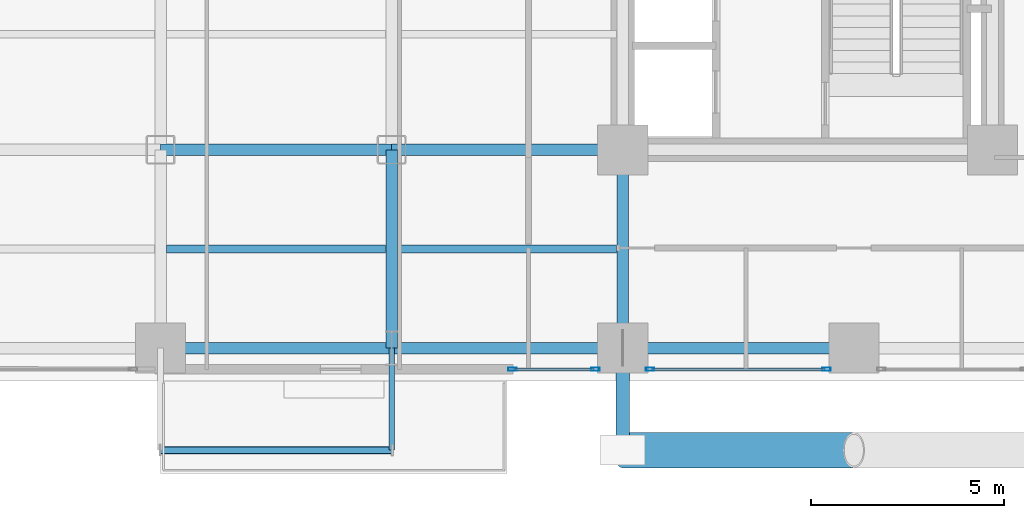
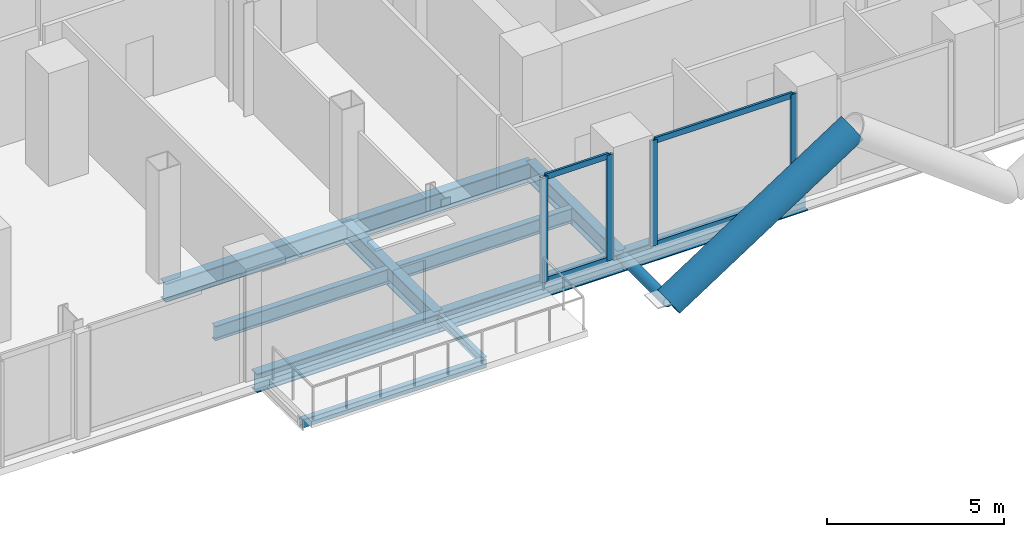
# One storey, part 3 of 25: 11 beams, 10 members, 2 elements without a shape of their own.
"""IFC4 building model written with IfcOpenShell, lengths in metres."""

from ifc_helpers import new_model, si_unit, direction, frame, origin, origin_2d, place, context, subcontext, project, spatial, hollow_rectangle, hollow_circle, i_section, extrude, material, layer, layer_set, material_profile, profile_set, type_object, element, aggregate, save


model = new_model("IFC4")

# Units and contexts
model_context = context("Model", 3, precision=1e-05, world=origin(), true_north=direction((0.0, 1.0)))
body_context = subcontext(model_context, "Body", "Model", "MODEL_VIEW")
ifc_project = project(units=[si_unit("LENGTHUNIT", "METRE"), si_unit("AREAUNIT", "SQUARE_METRE"), si_unit("VOLUMEUNIT", "CUBIC_METRE"), si_unit("PLANEANGLEUNIT", "RADIAN"), si_unit("MASSUNIT", "GRAM", prefix="KILO"), si_unit("THERMODYNAMICTEMPERATUREUNIT", "KELVIN"), si_unit("POWERUNIT", "WATT")], contexts=[model_context])

# Site, building, storey
site_placement = place(None, origin())
site = spatial("IfcSite", under=ifc_project, at=site_placement, CompositionType="ELEMENT")
building_placement = place(site_placement, origin())
building = spatial("IfcBuilding", under=site, at=building_placement, Name="Svarakhadi Broadcast Tower", CompositionType="ELEMENT")
storey_placement = place(building_placement, frame((0.0, 0.0, 36.300048828125)))
storey = spatial("IfcBuildingStorey", under=building, at=storey_placement, Name="L07", CompositionType="ELEMENT", Elevation=36.300048828125)

# Beams
ifc_material_1 = material(Name="Steel S355J2 (IS 2062 E350C)", Category="steel")
ifc_material_profile_1 = material_profile(ifc_material_1, i_section(OverallWidth=0.199951171875, OverallDepth=0.5, WebThickness=0.01025390625, FlangeThickness=0.01611328125, FilletRadius=0.02099609375, at=origin_2d()), Name="NPB 500x200x91")
ifc_profile_set_1 = profile_set([ifc_material_profile_1], Name="Steel S355J2 (IS 2062 E350C)")
beam_type_1 = type_object("IfcBeamType", Name="Beam_NPB500", PredefinedType="BEAM", material=ifc_profile_set_1)
for number, where, z_axis, x_axis, name in (
    (1, (12.159912109375, 3.425048828125, -0.5), (1.0, 0.0, 0.0), (0.0, 1.0, 0.0), "L07 Secondary Composite Beam SB013"),
    (2, (18.159912109375, 3.425048828125, -0.5), (1.0, 0.0, 0.0), (0.0, 1.0, 0.0), "L07 Secondary Composite Beam SB019"),
):
    element("IfcBeam", number, at=place(storey_placement, frame(where, z_axis=z_axis, x_axis=x_axis)), inside=storey, type_object=beam_type_1, Name=name, PredefinedType="BEAM", context=body_context, shape_type="SweptSolid", body=[
        extrude(i_section(OverallWidth=0.199951171875, OverallDepth=0.5, WebThickness=0.01025390625, FlangeThickness=0.01611328125, FilletRadius=0.02099609375, at=origin_2d()), origin(), (0.0, 0.0, 1.0), 5.68017578125),
    ])

# Curtain wall, members
ifc_material_2 = material(Name="Anodised Bronze Aluminium AA 6063-T6", Category="aluminium")
ifc_layer = layer(ifc_material_2, 0.219970703125)
ifc_layer_set = layer_set([ifc_layer], Name="Anodised Bronze Aluminium AA 6063-T6")
curtain_wall_type = type_object("IfcCurtainWallType", Name="CW_Sys_02", PredefinedType="NOTDEFINED", material=ifc_layer_set)
curtain_wall_1_placement = place(storey_placement, origin())
curtain_wall_1 = element("IfcCurtainWall", 3, at=curtain_wall_1_placement, inside=storey, type_object=curtain_wall_type, Name="L07 South Curtain Wall 16 Bay 5", PredefinedType="NOTDEFINED")
ifc_material_profile_2 = material_profile(ifc_material_2, hollow_rectangle(XDim=0.0849609375, YDim=0.219970703125, WallThickness=0.006103515625, at=origin_2d()), Name="ALU MULLION 220x85x6")
ifc_profile_set_2 = profile_set([ifc_material_profile_2], Name="Anodised Bronze Aluminium AA 6063-T6")
member_type_1 = type_object("IfcMemberType", Name="CW_Sys_02_Mul", PredefinedType="MULLION", material=ifc_profile_set_2)
member_1_placement = place(storey_placement, frame((29.28759765625, 0.300048828125, 0.0), z_axis=(0.0, 0.0, 1.0), x_axis=(0.0, -1.0, 0.0)))
member_1 = element("IfcMember", 4, at=member_1_placement, type_object=member_type_1, Name="CW-02 mullion 1", PredefinedType="MULLION", context=body_context, shape_type="SweptSolid", body=[
    extrude(hollow_rectangle(XDim=0.0849609375, YDim=0.219970703125, WallThickness=0.006103515625, at=origin_2d()), origin(), (0.0, 0.0, 1.0), 3.64990234375),
])
member_2_placement = place(storey_placement, frame((24.71240234375, 0.300048828125, 0.0), z_axis=(0.0, 0.0, 1.0), x_axis=(0.0, -1.0, 0.0)))
member_2 = element("IfcMember", 5, at=member_2_placement, type_object=member_type_1, Name="CW-02 mullion 2", PredefinedType="MULLION", context=body_context, shape_type="SweptSolid", body=[
    extrude(hollow_rectangle(XDim=0.0849609375, YDim=0.219970703125, WallThickness=0.006103515625, at=origin_2d()), origin(), (0.0, 0.0, 1.0), 3.64990234375),
])

curtain_wall_2_placement = place(storey_placement, origin())
curtain_wall_2 = element("IfcCurtainWall", 6, at=curtain_wall_2_placement, inside=storey, type_object=curtain_wall_type, Name="L07 South Curtain Wall 16 Bay 6", PredefinedType="NOTDEFINED")
member_3_placement = place(storey_placement, frame((23.28759765625, 0.300048828125, 0.0), z_axis=(0.0, 0.0, 1.0), x_axis=(0.0, -1.0, 0.0)))
member_3 = element("IfcMember", 7, at=member_3_placement, type_object=member_type_1, Name="CW-02 mullion 1", PredefinedType="MULLION", context=body_context, shape_type="SweptSolid", body=[
    extrude(hollow_rectangle(XDim=0.0849609375, YDim=0.219970703125, WallThickness=0.006103515625, at=origin_2d()), origin(), (0.0, 0.0, 1.0), 3.64990234375),
])
member_4_placement = place(storey_placement, frame((21.132568359375, 0.300048828125, 0.0), z_axis=(0.0, 0.0, 1.0), x_axis=(0.0, -1.0, 0.0)))
member_4 = element("IfcMember", 8, at=member_4_placement, type_object=member_type_1, Name="CW-02 mullion 2", PredefinedType="MULLION", context=body_context, shape_type="SweptSolid", body=[
    extrude(hollow_rectangle(XDim=0.0849609375, YDim=0.219970703125, WallThickness=0.006103515625, at=origin_2d()), origin(), (0.0, 0.0, 1.0), 3.64990234375),
])

# Member
ifc_material_profile_3 = material_profile(ifc_material_2, hollow_rectangle(XDim=0.074951171875, YDim=0.199951171875, WallThickness=0.0048828125, at=origin_2d()), Name="ALU TRANSOM 200x75x5")
ifc_profile_set_3 = profile_set([ifc_material_profile_3], Name="Anodised Bronze Aluminium AA 6063-T6")
member_type_2 = type_object("IfcMemberType", Name="CW_Sys_02_Trn", PredefinedType="USERDEFINED", material=ifc_profile_set_3)
member_5_placement = place(storey_placement, frame((29.2451171875, 0.300048828125, 0.037353515625), z_axis=(-1.0, 0.0, 0.0), x_axis=(0.0, -1.0, 0.0)))
member_5 = element("IfcMember", 9, at=member_5_placement, type_object=member_type_2, Name="CW-02 transom 1.1", ObjectType="TRANSOM", PredefinedType="USERDEFINED", context=body_context, shape_type="SweptSolid", body=[
    extrude(hollow_rectangle(XDim=0.074951171875, YDim=0.199951171875, WallThickness=0.0048828125, at=origin_2d()), origin(), (0.0, 0.0, 1.0), 4.490234375),
])

member_6_placement = place(storey_placement, frame((29.2451171875, 0.300048828125, 3.612548828125), z_axis=(-1.0, 0.0, 0.0), x_axis=(0.0, -1.0, 0.0)))
member_6 = element("IfcMember", 10, at=member_6_placement, type_object=member_type_2, Name="CW-02 transom 1.2", ObjectType="TRANSOM", PredefinedType="USERDEFINED", context=body_context, shape_type="SweptSolid", body=[
    extrude(hollow_rectangle(XDim=0.074951171875, YDim=0.199951171875, WallThickness=0.0048828125, at=origin_2d()), origin(), (0.0, 0.0, 1.0), 4.490234375),
])

aggregate(curtain_wall_1, [member_1, member_2, member_5, member_6])

member_7_placement = place(storey_placement, frame((23.2451171875, 0.300048828125, 0.037353515625), z_axis=(-1.0, 0.0, 0.0), x_axis=(0.0, -1.0, 0.0)))
member_7 = element("IfcMember", 11, at=member_7_placement, type_object=member_type_2, Name="CW-02 transom 1.1", ObjectType="TRANSOM", PredefinedType="USERDEFINED", context=body_context, shape_type="SweptSolid", body=[
    extrude(hollow_rectangle(XDim=0.074951171875, YDim=0.199951171875, WallThickness=0.0048828125, at=origin_2d()), origin(), (0.0, 0.0, 1.0), 2.070068359375),
])

member_8_placement = place(storey_placement, frame((23.2451171875, 0.300048828125, 3.612548828125), z_axis=(-1.0, 0.0, 0.0), x_axis=(0.0, -1.0, 0.0)))
member_8 = element("IfcMember", 12, at=member_8_placement, type_object=member_type_2, Name="CW-02 transom 1.2", ObjectType="TRANSOM", PredefinedType="USERDEFINED", context=body_context, shape_type="SweptSolid", body=[
    extrude(hollow_rectangle(XDim=0.074951171875, YDim=0.199951171875, WallThickness=0.0048828125, at=origin_2d()), origin(), (0.0, 0.0, 1.0), 2.070068359375),
])

aggregate(curtain_wall_2, [member_3, member_4, member_7, member_8])

# Members
ifc_material_3 = material(Name="Steel S460ML (IS 2062 E450BR)", Category="steel")
ifc_material_profile_4 = material_profile(ifc_material_3, hollow_circle(Radius=0.45703125, WallThickness=0.044921875, at=origin_2d()), Name="CHS 914x45")
ifc_profile_set_4 = profile_set([ifc_material_profile_4], Name="Steel S460ML (IS 2062 E450BR)")
member_type_3 = type_object("IfcMemberType", Name="Exo_Brace_CHS914", PredefinedType="BRACE", material=ifc_profile_set_4)
member_9_placement = place(storey_placement, frame((24.0, -1.800048828125, -0.427734375), z_axis=(0.838449851971, 0.0, 0.544978757136), x_axis=(0.0, 1.0, 0.0)))
element("IfcMember", 13, at=member_9_placement, inside=storey, type_object=member_type_3, Name="L07 Exposed Bronze Exoskeleton Diagonal S01", PredefinedType="BRACE", context=body_context, shape_type="SweptSolid", body=[
    extrude(hollow_circle(Radius=0.45703125, WallThickness=0.044921875, at=origin_2d()), origin(), (0.0, 0.0, 1.0), 7.156005859375),
])
ifc_material_profile_5 = material_profile(ifc_material_3, hollow_circle(Radius=0.177734375, WallThickness=0.02001953125, at=origin_2d()), Name="CHS 355.6x20")
ifc_profile_set_5 = profile_set([ifc_material_profile_5], Name="Steel S460ML (IS 2062 E450BR)")
member_type_4 = type_object("IfcMemberType", Name="Exo_Radial_Strut_Z1", PredefinedType="STRUT", material=ifc_profile_set_5)
member_10_placement = place(storey_placement, frame((24.0, -1.800048828125, -0.427734375), z_axis=(0.0, 1.0, 0.0), x_axis=(-1.0, 0.0, 0.0)))
element("IfcMember", 14, at=member_10_placement, inside=storey, type_object=member_type_4, Name="L07 Exoskeleton Radial Tie Strut S01", PredefinedType="STRUT", context=body_context, shape_type="SweptSolid", body=[
    extrude(hollow_circle(Radius=0.177734375, WallThickness=0.02001953125, at=origin_2d()), origin(), (0.0, 0.0, 1.0), 2.650146484375),
])

# Beams
ifc_material_profile_6 = material_profile(ifc_material_1, i_section(OverallWidth=0.300048828125, OverallDepth=0.64990234375, WebThickness=0.01611328125, FlangeThickness=0.031005859375, FilletRadius=0.027099609375, at=origin_2d()), Name="WPB 650x300x225")
ifc_profile_set_6 = profile_set([ifc_material_profile_6], Name="Steel S355J2 (IS 2062 E350C)")
beam_type_2 = type_object("IfcBeamType", Name="Girder_WPB650", PredefinedType="USERDEFINED", material=ifc_profile_set_6)
for number, where, z_axis, x_axis, name in (
    (15, (12.0, 0.85009765625, -0.574951171875), (1.0, 0.0, 0.0), (0.0, 1.0, 0.0), "L07 Primary E-W Girder G005"),
    (16, (18.0, 0.85009765625, -0.574951171875), (1.0, 0.0, 0.0), (0.0, 1.0, 0.0), "L07 Primary E-W Girder G006"),
    (17, (24.0, 0.85009765625, -0.574951171875), (1.0, 0.0, 0.0), (0.0, 1.0, 0.0), "L07 Primary E-W Girder G007"),
    (18, (12.0, 6.0, -0.574951171875), (1.0, 0.0, 0.0), (0.0, 1.0, 0.0), "L07 Primary E-W Girder G013"),
    (19, (18.0, 6.0, -0.574951171875), (1.0, 0.0, 0.0), (0.0, 1.0, 0.0), "L07 Primary E-W Girder G014"),
):
    element("IfcBeam", number, at=place(storey_placement, frame(where, z_axis=z_axis, x_axis=x_axis)), inside=storey, type_object=beam_type_2, Name=name, ObjectType="GIRDER", PredefinedType="USERDEFINED", context=body_context, shape_type="SweptSolid", body=[
        extrude(i_section(OverallWidth=0.300048828125, OverallDepth=0.64990234375, WebThickness=0.01611328125, FlangeThickness=0.031005859375, FilletRadius=0.027099609375, at=origin_2d()), origin(), (0.0, 0.0, 1.0), 6.0),
    ])
for number, where, z_axis, x_axis, name in (
    (20, (18.0, 0.85009765625, -0.574951171875), (0.0, 1.0, 0.0), (-1.0, 0.0, 0.0), "L07 Primary N-S Girder G064"),
    (21, (24.0, 0.85009765625, -0.574951171875), (0.0, 1.0, 0.0), (-1.0, 0.0, 0.0), "L07 Primary N-S Girder G071"),
):
    element("IfcBeam", number, at=place(storey_placement, frame(where, z_axis=z_axis, x_axis=x_axis)), inside=storey, type_object=beam_type_2, Name=name, ObjectType="GIRDER", PredefinedType="USERDEFINED", context=body_context, shape_type="SweptSolid", body=[
        extrude(i_section(OverallWidth=0.300048828125, OverallDepth=0.64990234375, WebThickness=0.01611328125, FlangeThickness=0.031005859375, FilletRadius=0.027099609375, at=origin_2d()), origin(), (0.0, 0.0, 1.0), 5.14990234375),
    ])
ifc_material_profile_7 = material_profile(ifc_material_1, i_section(OverallWidth=0.14990234375, OverallDepth=0.300048828125, WebThickness=0.007080078125, FlangeThickness=0.0107421875, FilletRadius=0.014892578125, at=origin_2d()), Name="NPB 300x150x37")
ifc_profile_set_7 = profile_set([ifc_material_profile_7], Name="Steel S355J2 (IS 2062 E350C)")
beam_type_3 = type_object("IfcBeamType", Name="Spandrel_NPB300", PredefinedType="SPANDREL", material=ifc_profile_set_7)
beam_1_placement = place(storey_placement, frame((18.0, 0.85009765625, -0.400146484375), z_axis=(0.0, -1.0, 0.0), x_axis=(1.0, 0.0, 0.0)))
element("IfcBeam", 22, at=beam_1_placement, inside=storey, type_object=beam_type_3, Name="L07 Balcony Cantilever Bracket 1B", PredefinedType="SPANDREL", context=body_context, shape_type="SweptSolid", body=[
    extrude(i_section(OverallWidth=0.14990234375, OverallDepth=0.300048828125, WebThickness=0.007080078125, FlangeThickness=0.0107421875, FilletRadius=0.014892578125, at=origin_2d()), origin(), (0.0, 0.0, 1.0), 2.650146484375),
])
ifc_material_profile_8 = material_profile(ifc_material_3, hollow_rectangle(XDim=0.199951171875, YDim=0.300048828125, WallThickness=0.012451171875, InnerFilletRadius=0.012451171875, OuterFilletRadius=0.02490234375, at=origin_2d()), Name="RHS 300x200x12.5")
ifc_profile_set_8 = profile_set([ifc_material_profile_8], Name="Steel S460ML (IS 2062 E450BR)")
beam_type_4 = type_object("IfcBeamType", Name="Spandrel_RHS300", PredefinedType="SPANDREL", material=ifc_profile_set_8)
beam_2_placement = place(storey_placement, frame((12.0, -1.800048828125, -0.400146484375), z_axis=(1.0, 0.0, 0.0), x_axis=(0.0, 1.0, 0.0)))
element("IfcBeam", 23, at=beam_2_placement, inside=storey, type_object=beam_type_4, Name="L07 Balcony Outer Spandrel 1F", PredefinedType="SPANDREL", context=body_context, shape_type="SweptSolid", body=[
    extrude(hollow_rectangle(XDim=0.199951171875, YDim=0.300048828125, WallThickness=0.012451171875, InnerFilletRadius=0.012451171875, OuterFilletRadius=0.02490234375, at=origin_2d()), origin(), (0.0, 0.0, 1.0), 6.0),
])

save(model, "model.ifc")
